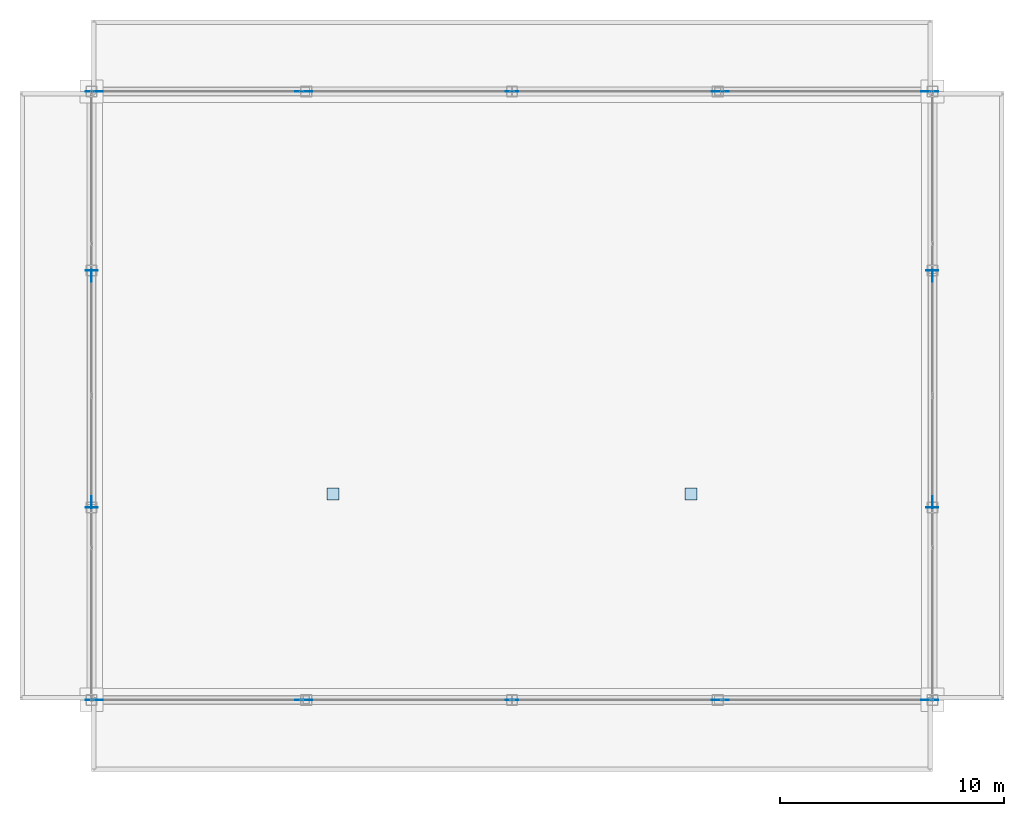
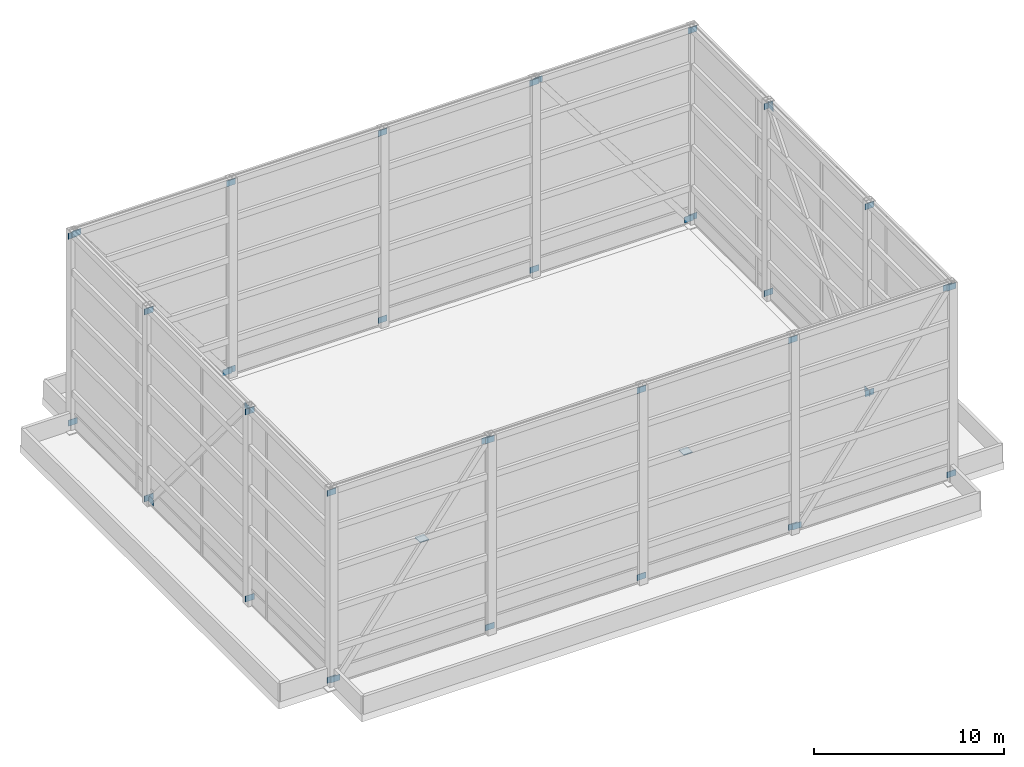
# One storey, part 21 of 23: 42 plates.
"""IFC4 building model written with IfcOpenShell, lengths in metres."""

import ifcopenshell
import ifcopenshell.guid

model = None  # the IFC model being written
_history = None  # IfcOwnerHistory: only IFC2X3 demands one
_inside = {}  # id of a spatial element -> (the spatial element, [elements in it])
_under = {}  # id of a project, library or spatial element -> (it, [spatial elements below it])
_declared = {}  # id of a project -> (the project, [libraries it declares])
_typed = {}  # id of a type object -> (the type object, [elements of that type])
_made_of = {}  # id of a material, layer set ... -> (it, [elements and type objects made of it])


def new_model(schema):
    """Start an empty IFC model of exactly this schema.

    Asked for "IFC4X3", IfcOpenShell would pick the latest addendum, in which some entities
    have other attributes; the version numbers below select the first issue.
    IFC2X3 requires an IfcOwnerHistory on every rooted entity: one is made here for all.
    """
    global model, _history
    if schema == "IFC4X3":
        model = ifcopenshell.file(schema_version=(4, 3, 0, 0))
    else:
        model = ifcopenshell.file(schema=schema)
    _inside.clear()
    _under.clear()
    _declared.clear()
    _typed.clear()
    _made_of.clear()
    _history = None
    if model.schema == "IFC2X3":
        org = make("IfcOrganization", Name="unknown")
        user = make(
            "IfcPersonAndOrganization",
            ThePerson=make("IfcPerson", FamilyName="unknown"),
            TheOrganization=org,
        )
        app = make(
            "IfcApplication",
            ApplicationDeveloper=org,
            Version="unknown",
            ApplicationFullName="unknown",
            ApplicationIdentifier="unknown",
        )
        _history = make(
            "IfcOwnerHistory",
            OwningUser=user,
            OwningApplication=app,
            ChangeAction="ADDED",
            CreationDate=0,
        )
    return model


def make(cls, **values):
    """One entity of the class cls with the attributes given. An attribute that is None is left unset."""
    return model.create_entity(
        cls, **{name: value for name, value in values.items() if value is not None}
    )


def rooted(cls, **values):
    """An entity with a GlobalId (a new one), such as an element, a storey or a relation."""
    return make(cls, GlobalId=ifcopenshell.guid.new(), OwnerHistory=_history, **values)


def si_unit(unit_type, name, prefix=None):
    """IfcSIUnit, for example si_unit("LENGTHUNIT", "METRE", prefix="MILLI")."""
    return make("IfcSIUnit", UnitType=unit_type, Prefix=prefix, Name=name)


def assignment(units):
    """IfcUnitAssignment: the units of a project."""
    return None if units is None else make("IfcUnitAssignment", Units=units)


def point(xyz):
    """IfcCartesianPoint."""
    return None if xyz is None else make("IfcCartesianPoint", Coordinates=xyz)


def direction(xyz):
    """IfcDirection."""
    return None if xyz is None else make("IfcDirection", DirectionRatios=xyz)


def frame(location, z_axis=None, x_axis=None):
    """IfcAxis2Placement3D, a coordinate frame: its origin and axes. An axis left out is left unset."""
    return make(
        "IfcAxis2Placement3D",
        Location=point(location),
        Axis=direction(z_axis),
        RefDirection=direction(x_axis),
    )


def frame_2d(location, x_axis=None):
    """IfcAxis2Placement2D, a coordinate frame in the plane: its origin and x axis."""
    return make(
        "IfcAxis2Placement2D", Location=point(location), RefDirection=direction(x_axis)
    )


def origin():
    """The frame at (0, 0, 0) with its axes left unset."""
    return frame((0.0, 0.0, 0.0))


def origin_2d():
    """The frame at (0, 0) in the plane with its x axis left unset."""
    return frame_2d((0.0, 0.0))


def place(relative_to, where):
    """IfcLocalPlacement: puts the frame where relative to a parent placement (None: the world)."""
    return make(
        "IfcLocalPlacement", PlacementRelTo=relative_to, RelativePlacement=where
    )


def context(
    kind, dimensions, precision=None, world=None, true_north=None, identifier=None
):
    """IfcGeometricRepresentationContext, for example the 3D "Model" context."""
    return make(
        "IfcGeometricRepresentationContext",
        ContextIdentifier=identifier,
        ContextType=kind,
        CoordinateSpaceDimension=dimensions,
        Precision=precision,
        WorldCoordinateSystem=world,
        TrueNorth=true_north,
    )


def subcontext(parent, identifier, kind, view, scale=None):
    """IfcGeometricRepresentationSubContext, for example "Body" below "Model"."""
    return make(
        "IfcGeometricRepresentationSubContext",
        ContextIdentifier=identifier,
        ContextType=kind,
        ParentContext=parent,
        TargetScale=scale,
        TargetView=view,
    )


def project(units=None, contexts=None):
    """IfcProject with its units and contexts."""
    return rooted(
        "IfcProject",
        Name="project",
        RepresentationContexts=contexts,
        UnitsInContext=assignment(units),
    )


def spatial(cls, under=None, at=None, **own):
    """A site, building, storey or space (cls), placed at a placement, below another one or the project."""
    s = rooted(cls, ObjectPlacement=at, **own)
    if under is not None:
        _under.setdefault(under.id(), (under, []))[1].append(s)
    return s


def profile(cls, at=None, kind="AREA", **sizes):
    """A parametric profile (cls). Its sizes go by their IFC names, for example OverallWidth=200.0."""
    return make(cls, ProfileType=kind, Position=at, **sizes)


def rectangle(**sizes):
    """IfcRectangleProfileDef."""
    return profile("IfcRectangleProfileDef", **sizes)


def extrude(swept, where, along, depth):
    """IfcExtrudedAreaSolid: the profile swept, set in the frame where, extruded along a direction by depth."""
    return make(
        "IfcExtrudedAreaSolid",
        SweptArea=swept,
        Position=where,
        ExtrudedDirection=direction(along),
        Depth=depth,
    )


def shape(context_of_items, identifier, shape_type, items):
    """IfcShapeRepresentation: the items that make up one representation, for example the "Body"."""
    return make(
        "IfcShapeRepresentation",
        ContextOfItems=context_of_items,
        RepresentationIdentifier=identifier,
        RepresentationType=shape_type,
        Items=items,
    )


def source(mapping_origin, context_of_items, identifier, shape_type, items):
    """IfcRepresentationMap: a shape defined once, which mapped items show again and again."""
    return make(
        "IfcRepresentationMap",
        MappingOrigin=mapping_origin,
        MappedRepresentation=shape(context_of_items, identifier, shape_type, items),
    )


def transform(
    local_origin,
    x_axis=None,
    y_axis=None,
    z_axis=None,
    scale=None,
    scale2=None,
    scale3=None,
    uniform=True,
):
    """IfcCartesianTransformationOperator3D, or its non-uniform kind. x_axis, y_axis, z_axis: its Axis1, 2, 3."""
    if uniform:
        return make(
            "IfcCartesianTransformationOperator3D",
            Axis1=direction(x_axis),
            Axis2=direction(y_axis),
            LocalOrigin=point(local_origin),
            Scale=scale,
            Axis3=direction(z_axis),
        )
    return make(
        "IfcCartesianTransformationOperator3DnonUniform",
        Axis1=direction(x_axis),
        Axis2=direction(y_axis),
        LocalOrigin=point(local_origin),
        Scale=scale,
        Axis3=direction(z_axis),
        Scale2=scale2,
        Scale3=scale3,
    )


def mapped(mapping_source, mapping_target):
    """IfcMappedItem: shows the shape of a source again, moved by a transform."""
    return make(
        "IfcMappedItem", MappingSource=mapping_source, MappingTarget=mapping_target
    )


def material(Name=None, Category=None):
    """IfcMaterial."""
    return make("IfcMaterial", Name=Name, Category=Category)


def layer(
    of_material, thickness, ventilated=None, Name=None, Category=None, Priority=None
):
    """IfcMaterialLayer: one layer of a wall or slab, of a material (None: an air gap)."""
    return make(
        "IfcMaterialLayer",
        Material=of_material,
        LayerThickness=thickness,
        IsVentilated=ventilated,
        Name=Name,
        Category=Category,
        Priority=Priority,
    )


def layer_set(layers, Name=None):
    """IfcMaterialLayerSet."""
    return make("IfcMaterialLayerSet", MaterialLayers=layers, LayerSetName=Name)


def made_of(thing, what):
    """Note that an element or type object is made of a material, layer set ...; save() writes the relation."""
    if what is not None:
        _made_of.setdefault(what.id(), (what, []))[1].append(thing)
    return thing


def type_object(cls, material=None, **own):
    """A type object (cls), such as IfcWallType, which elements share."""
    return made_of(rooted(cls, **own), material)


def type_shapes(of_type, sources):
    """Give a type object the sources (RepresentationMaps) that its elements show as mapped items."""
    of_type.RepresentationMaps = sources


def element(
    cls,
    number,
    at=None,
    inside=None,
    cuts=None,
    type_object=None,
    material=None,
    context=None,
    identifier="Body",
    shape_type=None,
    held_by="IfcProductDefinitionShape",
    body=None,
    shapes=None,
    **own,
):
    """One element of the class cls, such as IfcWall. Its Tag is "e" and its number.

    at: its placement. inside: the storey or other place that contains it. cuts: it is an
    opening in that element (IfcRelVoidsElement). A single representation is given by context,
    identifier, shape_type and body (its items); several are given by shapes. held_by: the class
    of the entity that holds the representations. save() writes the other relations.
    """
    e = rooted(cls, Tag="e%d" % number, ObjectPlacement=at, **own)
    if body is not None:
        shapes = [shape(context, identifier, shape_type, body)]
    if shapes is not None:
        e.Representation = make(held_by, Representations=shapes)
    if inside is not None:
        _inside.setdefault(inside.id(), (inside, []))[1].append(e)
    if cuts is not None:
        rooted(
            "IfcRelVoidsElement", RelatingBuildingElement=cuts, RelatedOpeningElement=e
        )
    if type_object is not None:
        _typed.setdefault(type_object.id(), (type_object, []))[1].append(e)
    return made_of(e, material)


def aggregate(whole, parts):
    """IfcRelAggregates: a whole, such as a stair, and the parts it consists of."""
    return rooted("IfcRelAggregates", RelatingObject=whole, RelatedObjects=parts)


def save(model, path):
    """Write the relations noted so far, then the file.

    IfcRelAggregates (storeys below a building ...), IfcRelContainedInSpatialStructure (elements
    in a storey), IfcRelDefinesByType, IfcRelAssociatesMaterial and IfcRelDeclares: one each for
    every whole, place, type object, material and project.
    """
    for whole, parts in _under.values():
        aggregate(whole, parts)
    for where, things in _inside.values():
        rooted(
            "IfcRelContainedInSpatialStructure",
            RelatedElements=things,
            RelatingStructure=where,
        )
    for kind, things in _typed.values():
        rooted("IfcRelDefinesByType", RelatedObjects=things, RelatingType=kind)
    for what, things in _made_of.values():
        rooted("IfcRelAssociatesMaterial", RelatedObjects=things, RelatingMaterial=what)
    for by, libraries in _declared.values():
        rooted("IfcRelDeclares", RelatingContext=by, RelatedDefinitions=libraries)
    model.write(path)


model = new_model("IFC4")

# Units and contexts
model_context = context("Model", 3, precision=1e-05, world=origin(), true_north=direction((0.0, 1.0)))
body_context = subcontext(model_context, "Body", "Model", "MODEL_VIEW")
ifc_project = project(units=[si_unit("LENGTHUNIT", "METRE"), si_unit("AREAUNIT", "SQUARE_METRE"), si_unit("VOLUMEUNIT", "CUBIC_METRE"), si_unit("PLANEANGLEUNIT", "RADIAN"), si_unit("MASSUNIT", "GRAM", prefix="KILO")], contexts=[model_context])

# Site, building, storey
site_placement = place(None, origin())
site = spatial("IfcSite", under=ifc_project, at=site_placement, CompositionType="ELEMENT")
building_placement = place(site_placement, origin())
building = spatial("IfcBuilding", under=site, at=building_placement, Name="Varnel Quay Broadcast Tower", CompositionType="ELEMENT")
storey_placement = place(building_placement, frame((0.0, 0.0, 319.800048828125)))
storey = spatial("IfcBuildingStorey", under=building, at=storey_placement, Name="Roof", CompositionType="ELEMENT", Elevation=319.800048828125)

# Plates
ifc_material = material(Name="Structural Steel CSA G40.21 350WT", Category="steel")
ifc_layer_1 = layer(ifc_material, 0.031982421875, Name="Structural Steel CSA G40.21 350WT")
ifc_layer_set_1 = layer_set([ifc_layer_1], Name="Structural Steel CSA G40.21 350WT")
plate_type_1 = type_object("IfcPlateType", Name="Plate_EndCap", PredefinedType="USERDEFINED", material=ifc_layer_set_1)
shared_shape_1 = source(origin(), body_context, "Body", "SweptSolid", [
    extrude(rectangle(XDim=0.5400390625, YDim=0.031982421875, at=origin_2d()), origin(), (0.0, 0.0, 1.0), 0.3798828125),
])
type_shapes(plate_type_1, [shared_shape_1])
for number, where, z_axis, x_axis, name in (
    (1, (15.199951171875, 16.39990234375, 0.18994140625), (0.0, 0.0, 1.0), (1.0, 0.0, 0.0), "Crown Ring Post 1 End Connection Plate P0"),
    (2, (15.199951171875, 16.39990234375, 12.179931640625), (0.0, 0.0, 1.0), (1.0, 0.0, 0.0), "Crown Ring Post 1 End Connection Plate P1"),
    (3, (24.800048828125, 16.39990234375, 0.18994140625), (0.0, 0.0, 1.0), (1.0, 0.0, 0.0), "Crown Ring Post 2 End Connection Plate P0"),
    (4, (24.800048828125, 16.39990234375, 12.179931640625), (0.0, 0.0, 1.0), (1.0, 0.0, 0.0), "Crown Ring Post 2 End Connection Plate P1"),
    (5, (34.0, 16.39990234375, 0.18994140625), (0.0, 0.0, 1.0), (1.0, 0.0, 0.0), "Crown Ring Post 3 End Connection Plate P0"),
    (6, (34.0, 16.39990234375, 12.179931640625), (0.0, 0.0, 1.0), (1.0, 0.0, 0.0), "Crown Ring Post 3 End Connection Plate P1"),
    (7, (43.199951171875, 16.39990234375, 0.18994140625), (0.0, 0.0, 1.0), (1.0, 0.0, 0.0), "Crown Ring Post 4 End Connection Plate P0"),
    (8, (43.199951171875, 16.39990234375, 12.179931640625), (0.0, 0.0, 1.0), (1.0, 0.0, 0.0), "Crown Ring Post 4 End Connection Plate P1"),
    (9, (52.800048828125, 16.39990234375, 0.18994140625), (0.0, 0.0, 1.0), (1.0, 0.0, 0.0), "Crown Ring Post 5 End Connection Plate P0"),
    (10, (52.800048828125, 16.39990234375, 12.179931640625), (0.0, 0.0, 1.0), (1.0, 0.0, 0.0), "Crown Ring Post 5 End Connection Plate P1"),
    (11, (52.800048828125, 25.0, 0.18994140625), (0.0, 0.0, 1.0), (1.0, 0.0, 0.0), "Crown Ring Post 6 End Connection Plate P0"),
    (12, (52.800048828125, 25.0, 12.179931640625), (0.0, 0.0, 1.0), (1.0, 0.0, 0.0), "Crown Ring Post 6 End Connection Plate P1"),
    (13, (52.800048828125, 35.60009765625, 0.18994140625), (0.0, 0.0, 1.0), (1.0, 0.0, 0.0), "Crown Ring Post 7 End Connection Plate P0"),
    (14, (52.800048828125, 35.60009765625, 12.179931640625), (0.0, 0.0, 1.0), (1.0, 0.0, 0.0), "Crown Ring Post 7 End Connection Plate P1"),
    (15, (52.800048828125, 43.60009765625, 0.18994140625), (0.0, 0.0, 1.0), (1.0, 0.0, 0.0), "Crown Ring Post 8 End Connection Plate P0"),
    (16, (52.800048828125, 43.60009765625, 12.179931640625), (0.0, 0.0, 1.0), (1.0, 0.0, 0.0), "Crown Ring Post 8 End Connection Plate P1"),
    (17, (43.199951171875, 43.60009765625, 0.18994140625), (0.0, 0.0, 1.0), (1.0, 0.0, 0.0), "Crown Ring Post 9 End Connection Plate P0"),
    (18, (43.199951171875, 43.60009765625, 12.179931640625), (0.0, 0.0, 1.0), (1.0, 0.0, 0.0), "Crown Ring Post 9 End Connection Plate P1"),
    (19, (34.0, 43.60009765625, 0.18994140625), (0.0, 0.0, 1.0), (1.0, 0.0, 0.0), "Crown Ring Post 10 End Connection Plate P0"),
    (20, (34.0, 43.60009765625, 12.179931640625), (0.0, 0.0, 1.0), (1.0, 0.0, 0.0), "Crown Ring Post 10 End Connection Plate P1"),
    (21, (24.800048828125, 43.60009765625, 0.18994140625), (0.0, 0.0, 1.0), (1.0, 0.0, 0.0), "Crown Ring Post 11 End Connection Plate P0"),
    (22, (24.800048828125, 43.60009765625, 12.179931640625), (0.0, 0.0, 1.0), (1.0, 0.0, 0.0), "Crown Ring Post 11 End Connection Plate P1"),
    (23, (15.199951171875, 43.60009765625, 0.18994140625), (0.0, 0.0, 1.0), (1.0, 0.0, 0.0), "Crown Ring Post 12 End Connection Plate P0"),
    (24, (15.199951171875, 43.60009765625, 12.179931640625), (0.0, 0.0, 1.0), (1.0, 0.0, 0.0), "Crown Ring Post 12 End Connection Plate P1"),
    (25, (15.199951171875, 35.60009765625, 0.18994140625), (0.0, 0.0, 1.0), (1.0, 0.0, 0.0), "Crown Ring Post 13 End Connection Plate P0"),
    (26, (15.199951171875, 35.60009765625, 12.179931640625), (0.0, 0.0, 1.0), (1.0, 0.0, 0.0), "Crown Ring Post 13 End Connection Plate P1"),
    (27, (15.199951171875, 25.0, 0.18994140625), (0.0, 0.0, 1.0), (1.0, 0.0, 0.0), "Crown Ring Post 14 End Connection Plate P0"),
    (28, (15.199951171875, 25.0, 12.179931640625), (0.0, 0.0, 1.0), (1.0, 0.0, 0.0), "Crown Ring Post 14 End Connection Plate P1"),
    (29, (15.428955078125, 16.39990234375, 0.13330078125), (0.0, 0.0, 1.0), (1.0, 0.0, 0.0), "Crown Ring Brace 1 End Connection Plate P0"),
    (30, (24.571044921875, 16.39990234375, 12.23681640625), (0.0, 0.0, 1.0), (1.0, 0.0, 0.0), "Crown Ring Brace 1 End Connection Plate P1"),
    (31, (43.428955078125, 16.39990234375, 0.13330078125), (0.0, 0.0, 1.0), (1.0, 0.0, 0.0), "Crown Ring Brace 4 End Connection Plate P0"),
    (32, (52.571044921875, 16.39990234375, 12.23681640625), (0.0, 0.0, 1.0), (1.0, 0.0, 0.0), "Crown Ring Brace 4 End Connection Plate P1"),
    (33, (52.800048828125, 25.243408203125, 0.121826171875), (0.0, 0.0, 1.0), (0.0, 1.0, 0.0), "Crown Ring Brace 6 End Connection Plate P0"),
    (34, (52.800048828125, 35.356689453125, 12.248291015625), (0.0, 0.0, 1.0), (0.0, 1.0, 0.0), "Crown Ring Brace 6 End Connection Plate P1"),
    (35, (52.571044921875, 43.60009765625, 0.13330078125), (0.0, 0.0, 1.0), (1.0, 0.0, 0.0), "Crown Ring Brace 8 End Connection Plate P0"),
    (36, (43.428955078125, 43.60009765625, 12.23681640625), (0.0, 0.0, 1.0), (1.0, 0.0, 0.0), "Crown Ring Brace 8 End Connection Plate P1"),
    (37, (24.571044921875, 43.60009765625, 0.13330078125), (0.0, 0.0, 1.0), (1.0, 0.0, 0.0), "Crown Ring Brace 11 End Connection Plate P0"),
    (38, (15.428955078125, 43.60009765625, 12.23681640625), (0.0, 0.0, 1.0), (1.0, 0.0, 0.0), "Crown Ring Brace 11 End Connection Plate P1"),
    (39, (15.199951171875, 35.356689453125, 0.121826171875), (0.0, 0.0, 1.0), (0.0, 1.0, 0.0), "Crown Ring Brace 13 End Connection Plate P0"),
    (40, (15.199951171875, 25.243408203125, 12.248291015625), (0.0, 0.0, 1.0), (0.0, 1.0, 0.0), "Crown Ring Brace 13 End Connection Plate P1"),
):
    element("IfcPlate", number, at=place(storey_placement, frame(where, z_axis=z_axis, x_axis=x_axis)), inside=storey, type_object=plate_type_1, Name=name, ObjectType="CAP_PLATE", PredefinedType="USERDEFINED", context=body_context, shape_type="MappedRepresentation", body=[
        mapped(shared_shape_1, transform((0.0, 0.0, 0.0), x_axis=(1.0, 0.0, 0.0), y_axis=(0.0, 1.0, 0.0), z_axis=(0.0, 0.0, 1.0), scale=1.0)),
    ])
ifc_layer_2 = layer(ifc_material, 0.050048828125, Name="Structural Steel CSA G40.21 350WT")
ifc_layer_set_2 = layer_set([ifc_layer_2], Name="Structural Steel CSA G40.21 350WT")
plate_type_2 = type_object("IfcPlateType", Name="Plate_BasePlate", PredefinedType="SHEET", material=ifc_layer_set_2)
shared_shape_2 = source(origin(), body_context, "Body", "SweptSolid", [
    extrude(rectangle(XDim=0.548095703125, YDim=0.548095703125, at=origin_2d()), origin(), (0.0, 0.0, 1.0), 0.050048828125),
])
type_shapes(plate_type_2, [shared_shape_2])
for number, where, z_axis, x_axis, name in (
    (41, (26.0, 25.610107421875, -0.0048828125), (0.0, 0.0, 1.0), (1.0, 0.0, 0.0), "L78 Hollow Column Top Cap Plate IC-01"),
    (42, (42.0, 25.610107421875, -0.0048828125), (0.0, 0.0, 1.0), (1.0, 0.0, 0.0), "L78 Hollow Column Top Cap Plate IC-02"),
):
    element("IfcPlate", number, at=place(storey_placement, frame(where, z_axis=z_axis, x_axis=x_axis)), inside=storey, type_object=plate_type_2, Name=name, PredefinedType="SHEET", context=body_context, shape_type="MappedRepresentation", body=[
        mapped(shared_shape_2, transform((0.0, 0.0, 0.0), x_axis=(1.0, 0.0, 0.0), y_axis=(0.0, 1.0, 0.0), z_axis=(0.0, 0.0, 1.0), scale=1.0)),
    ])

save(model, "model.ifc")
